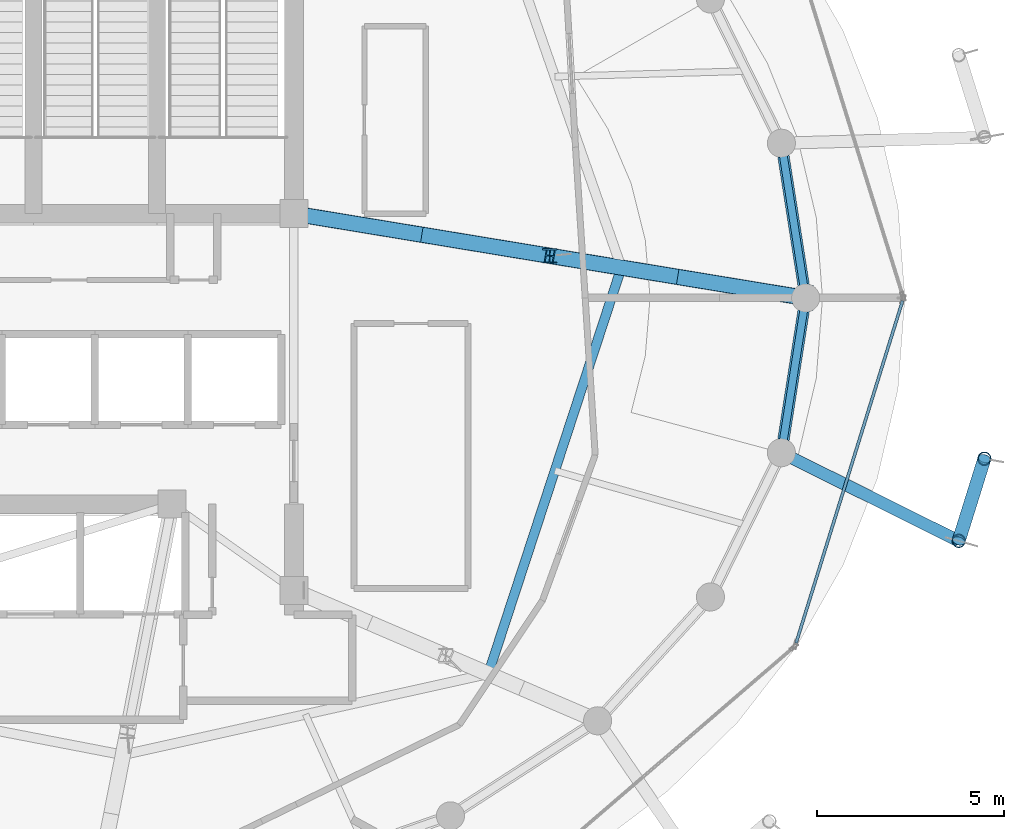
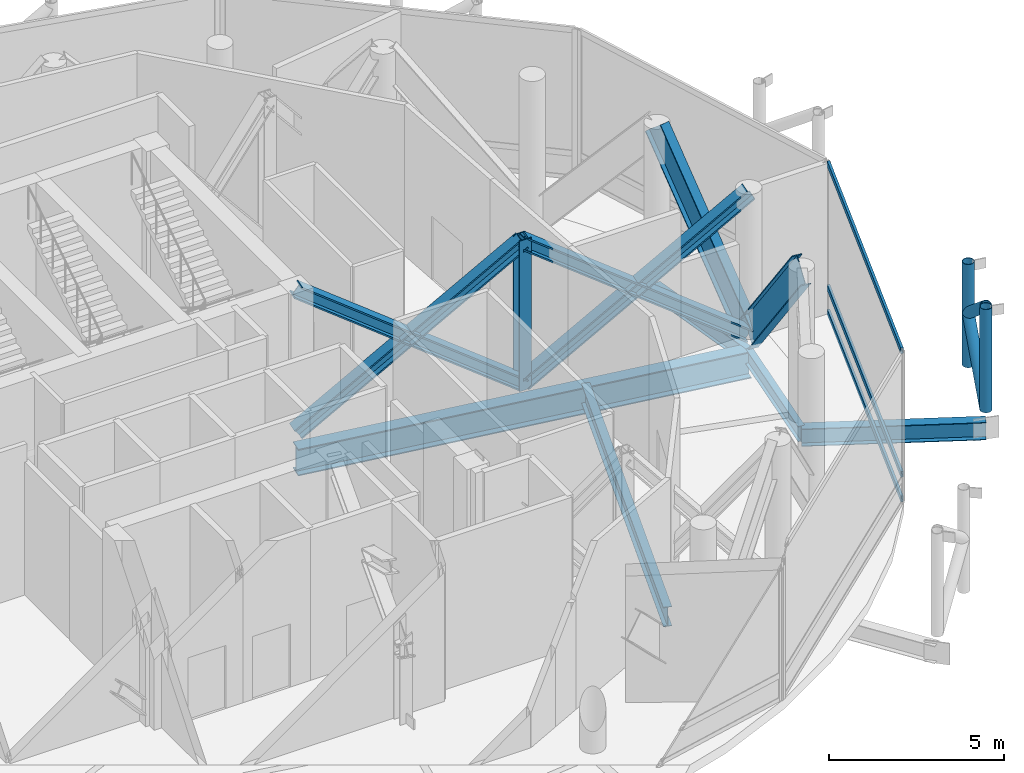
# One storey, part 10 of 26: 14 members, 5 beams, 1 element without a shape of its own.
"""IFC4 building model written with IfcOpenShell, lengths in metres."""

from ifc_helpers import new_model, si_unit, direction, frame, origin, origin_2d, place, context, subcontext, project, spatial, hollow_rectangle, hollow_circle, i_section, extrude, material, layer, layer_set, material_profile, profile_set, type_object, element, aggregate, save


model = new_model("IFC4")

# Units and contexts
model_context = context("Model", 3, precision=1e-05, world=origin(), true_north=direction((0.0, 1.0)))
body_context = subcontext(model_context, "Body", "Model", "MODEL_VIEW")
ifc_project = project(units=[si_unit("LENGTHUNIT", "METRE"), si_unit("AREAUNIT", "SQUARE_METRE"), si_unit("VOLUMEUNIT", "CUBIC_METRE"), si_unit("PLANEANGLEUNIT", "RADIAN"), si_unit("MASSUNIT", "GRAM", prefix="KILO")], contexts=[model_context])

# Site, building, storey
site_placement = place(None, origin())
site = spatial("IfcSite", under=ifc_project, at=site_placement, CompositionType="ELEMENT")
building_placement = place(site_placement, origin())
building = spatial("IfcBuilding", under=site, at=building_placement, Name="Nuhasar Tower", CompositionType="ELEMENT")
storey_placement = place(building_placement, frame((0.0, 0.0, 301.199951171875)))
storey = spatial("IfcBuildingStorey", under=building, at=storey_placement, Name="L75", CompositionType="ELEMENT", Elevation=301.199951171875)

# Members
ifc_material_1 = material(Name="Steel S460", Category="steel")
ifc_material_profile_1 = material_profile(ifc_material_1, i_section(OverallWidth=0.306884765625, OverallDepth=0.927001953125, WebThickness=0.019287109375, FlangeThickness=0.031982421875, at=origin_2d()), Name="W36X194")
ifc_profile_set_1 = profile_set([ifc_material_profile_1], Name="Steel S460")
member_type_1 = type_object("IfcMemberType", Name="BLT-DIAG-W36B", PredefinedType="CHORD", material=ifc_profile_set_1)
for number, where, z_axis, x_axis, name in (
    (1, (57.949951171875, 26.800048828125, 0.150146484375), (-0.099727894246, 0.637263505636, 0.764165931912), (-0.987975241776, -0.154612165232, 0.0), "L75 Belt Truss Diagonal 01"),
    (2, (57.949951171875, 26.800048828125, 0.150146484375), (-0.099727894246, -0.637263505636, 0.764165931912), (0.987975241776, -0.154612165232, 0.0), "L75 Belt Truss Diagonal 24"),
):
    element("IfcMember", number, at=place(storey_placement, frame(where, z_axis=z_axis, x_axis=x_axis)), inside=storey, type_object=member_type_1, Name=name, PredefinedType="CHORD", context=body_context, shape_type="SweptSolid", body=[
        extrude(i_section(OverallWidth=0.306884765625, OverallDepth=0.927001953125, WebThickness=0.019287109375, FlangeThickness=0.031982421875, at=origin_2d()), origin(), (0.0, 0.0, 1.0), 6.4775390625),
    ])

# Beams
ifc_material_2 = material(Name="Steel S355", Category="steel")
ifc_material_profile_2 = material_profile(ifc_material_2, i_section(OverallWidth=0.25390625, OverallDepth=0.68408203125, WebThickness=0.012451171875, FlangeThickness=0.018798828125, at=origin_2d()), Name="W27X94")
ifc_profile_set_2 = profile_set([ifc_material_profile_2], Name="Steel S355")
beam_type_1 = type_object("IfcBeamType", Name="BM-INRING-W27X94", PredefinedType="BEAM", material=ifc_profile_set_2)
beam_1_placement = place(storey_placement, frame((49.48388671875, 16.77392578125, -0.69189453125), z_axis=(0.311483801376, 0.950251462235, 0.0), x_axis=(-0.950251462235, 0.311483801376, 0.0)))
element("IfcBeam", 3, at=beam_1_placement, inside=storey, type_object=beam_type_1, Name="L75 Inner Header Beam 03", PredefinedType="BEAM", context=body_context, shape_type="SweptSolid", body=[
    extrude(i_section(OverallWidth=0.25390625, OverallDepth=0.68408203125, WebThickness=0.012451171875, FlangeThickness=0.018798828125, at=origin_2d()), origin(), (0.0, 0.0, 1.0), 11.403564453125),
])
ifc_material_profile_3 = material_profile(ifc_material_2, i_section(OverallWidth=0.419921875, OverallDepth=0.931884765625, WebThickness=0.021240234375, FlangeThickness=0.03662109375, at=origin_2d()), Name="W36X262")
ifc_profile_set_3 = profile_set([ifc_material_profile_3], Name="Steel S355")
beam_type_2 = type_object("IfcBeamType", Name="BM-POD-W36X262", PredefinedType="BEAM", material=ifc_profile_set_3)
beam_2_placement = place(storey_placement, frame((44.300048828125, 29.050048828125, -0.81591796875), z_axis=(0.986685215874, -0.162641583786, 0.0), x_axis=(0.162641583786, 0.986685215874, 0.0)))
element("IfcBeam", 4, at=beam_2_placement, inside=storey, type_object=beam_type_2, Name="L75 Radial Floor Girder 04", PredefinedType="BEAM", context=body_context, shape_type="SweptSolid", body=[
    extrude(i_section(OverallWidth=0.419921875, OverallDepth=0.931884765625, WebThickness=0.021240234375, FlangeThickness=0.03662109375, at=origin_2d()), origin(), (0.0, 0.0, 1.0), 13.833984375),
])
ifc_material_profile_4 = material_profile(ifc_material_2, i_section(OverallWidth=0.2099609375, OverallDepth=0.537109375, WebThickness=0.010986328125, FlangeThickness=0.017333984375, at=origin_2d()), Name="W21X68")
ifc_profile_set_4 = profile_set([ifc_material_profile_4], Name="Steel S355")
beam_type_3 = type_object("IfcBeamType", Name="BM-RING-W21X68", PredefinedType="SPANDREL", material=ifc_profile_set_4)
for number, where, z_axis, x_axis, name in (
    (5, (57.949951171875, 26.800048828125, -0.617919921875), (-0.154612165232, 0.987975241776, 0.0), (-0.987975241776, -0.154612165232, 0.0), "L75 Perimeter Ring Spandrel 01"),
    (6, (57.303955078125, 22.672119140625, -0.617919921875), (0.154612165232, 0.987975241776, 0.0), (-0.987975241776, 0.154612165232, 0.0), "L75 Perimeter Ring Spandrel 24"),
):
    element("IfcBeam", number, at=place(storey_placement, frame(where, z_axis=z_axis, x_axis=x_axis)), inside=storey, type_object=beam_type_3, Name=name, PredefinedType="SPANDREL", context=body_context, shape_type="SweptSolid", body=[
        extrude(i_section(OverallWidth=0.2099609375, OverallDepth=0.537109375, WebThickness=0.010986328125, FlangeThickness=0.017333984375, at=origin_2d()), origin(), (0.0, 0.0, 1.0), 4.17822265625),
    ])
ifc_material_profile_5 = material_profile(ifc_material_2, i_section(OverallWidth=0.323974609375, OverallDepth=0.611083984375, WebThickness=0.0126953125, FlangeThickness=0.01904296875, at=origin_2d()), Name="W24X104")
ifc_profile_set_5 = profile_set([ifc_material_profile_5], Name="Steel S355")
beam_type_4 = type_object("IfcBeamType", Name="BM-TIE-W24X104", PredefinedType="BEAM", material=ifc_profile_set_5)
beam_3_placement = place(storey_placement, frame((57.303955078125, 22.672119140625, -0.655029296875), z_axis=(0.895294451274, -0.445474853969, 0.0), x_axis=(0.445474853969, 0.895294451274, 0.0)))
element("IfcBeam", 7, at=beam_3_placement, inside=storey, type_object=beam_type_4, Name="L75 Exoskeleton Node Tie Beam 12", PredefinedType="BEAM", context=body_context, shape_type="SweptSolid", body=[
    extrude(i_section(OverallWidth=0.323974609375, OverallDepth=0.611083984375, WebThickness=0.0126953125, FlangeThickness=0.01904296875, at=origin_2d()), origin(), (0.0, 0.0, 1.0), 5.281982421875),
])

# Curtain wall, members
ifc_material_3 = material(Name="Aluminium 6063-T6", Category="aluminium")
ifc_layer = layer(ifc_material_3, 0.219970703125)
ifc_layer_set = layer_set([ifc_layer], Name="Aluminium 6063-T6")
curtain_wall_type = type_object("IfcCurtainWallType", Name="CW-CROWN", PredefinedType="NOTDEFINED", material=ifc_layer_set)
curtain_wall_placement = place(storey_placement, origin())
curtain_wall = element("IfcCurtainWall", 8, at=curtain_wall_placement, inside=storey, type_object=curtain_wall_type, Name="L75 Unitised Curtain Wall 12", PredefinedType="NOTDEFINED")
ifc_material_profile_6 = material_profile(ifc_material_3, hollow_rectangle(XDim=0.080078125, YDim=0.199951171875, WallThickness=0.00439453125, at=origin_2d()), Name="CWT-7")
ifc_profile_set_6 = profile_set([ifc_material_profile_6], Name="Aluminium 6063-T6")
member_type_2 = type_object("IfcMemberType", Name="CW-TRN-S7", PredefinedType="USERDEFINED", material=ifc_profile_set_6)
member_1_placement = place(storey_placement, frame((57.69580078125, 17.596435546875, 0.0400390625), z_axis=(0.297138999145, 0.954834234403, 0.0), x_axis=(-0.954834234403, 0.297138999145, 0.0)))
member_1 = element("IfcMember", 9, at=member_1_placement, type_object=member_type_2, Name="CW-CR transom 1.1", ObjectType="TRANSOM", PredefinedType="USERDEFINED", context=body_context, shape_type="SweptSolid", body=[
    extrude(hollow_rectangle(XDim=0.080078125, YDim=0.199951171875, WallThickness=0.00439453125, at=origin_2d()), origin(), (0.0, 0.0, 1.0), 9.558837890625),
])
member_2_placement = place(storey_placement, frame((57.69580078125, 17.596435546875, 0.900146484375), z_axis=(0.297138999145, 0.954834234403, 0.0), x_axis=(-0.954834234403, 0.297138999145, 0.0)))
member_2 = element("IfcMember", 10, at=member_2_placement, type_object=member_type_2, Name="CW-CR transom 1.2", ObjectType="TRANSOM", PredefinedType="USERDEFINED", context=body_context, shape_type="SweptSolid", body=[
    extrude(hollow_rectangle(XDim=0.080078125, YDim=0.199951171875, WallThickness=0.00439453125, at=origin_2d()), origin(), (0.0, 0.0, 1.0), 9.558837890625),
])
member_3_placement = place(storey_placement, frame((57.69580078125, 17.596435546875, 5.2099609375), z_axis=(0.297138999145, 0.954834234403, 0.0), x_axis=(-0.954834234403, 0.297138999145, 0.0)))
member_3 = element("IfcMember", 11, at=member_3_placement, type_object=member_type_2, Name="CW-CR transom 1.3", ObjectType="TRANSOM", PredefinedType="USERDEFINED", context=body_context, shape_type="SweptSolid", body=[
    extrude(hollow_rectangle(XDim=0.080078125, YDim=0.199951171875, WallThickness=0.00439453125, at=origin_2d()), origin(), (0.0, 0.0, 1.0), 9.558837890625),
])
aggregate(curtain_wall, [member_1, member_2, member_3])

# Members
ifc_material_profile_7 = material_profile(ifc_material_1, hollow_circle(Radius=0.177734375, WallThickness=0.015869140625, at=origin_2d()), Name="HSS355.6X15.9")
ifc_profile_set_7 = profile_set([ifc_material_profile_7], Name="Steel S460")
member_type_3 = type_object("IfcMemberType", Name="EXO-BRONZE-356", PredefinedType="BRACE", material=ifc_profile_set_7)
for number, where, z_axis, x_axis, name in (
    (12, (62.032958984375, 20.319091796875, 0.0), (0.0, 0.0, 1.0), (1.0, 0.0, 0.0), "L75 Exoskeleton Chord Column EC-12A"),
    (13, (62.718017578125, 22.513916015625, 0.0), (0.0, 0.0, 1.0), (1.0, 0.0, 0.0), "L75 Exoskeleton Chord Column EC-12B"),
):
    element("IfcMember", number, at=place(storey_placement, frame(where, z_axis=z_axis, x_axis=x_axis)), inside=storey, type_object=member_type_3, Name=name, PredefinedType="BRACE", context=body_context, shape_type="SweptSolid", body=[
        extrude(hollow_circle(Radius=0.177734375, WallThickness=0.015869140625, at=origin_2d()), origin(), (0.0, 0.0, 1.0), 3.60009765625),
    ])
for number, where, z_axis, x_axis, name in (
    (14, (62.032958984375, 20.319091796875, 0.0), (0.234604506813, 0.751637389966, 0.616442989568), (-0.954581948223, 0.297948492404, 0.0), "L75 Bronze Diagrid Brace W1-12"),
    (15, (62.718017578125, 22.513916015625, 1.800048828125), (-0.234604506813, -0.751637389966, 0.616442989568), (0.954581948223, -0.297948492404, 0.0), "L75 Bronze Diagrid Brace W2-12"),
):
    element("IfcMember", number, at=place(storey_placement, frame(where, z_axis=z_axis, x_axis=x_axis)), inside=storey, type_object=member_type_3, Name=name, PredefinedType="BRACE", context=body_context, shape_type="SweptSolid", body=[
        extrude(hollow_circle(Radius=0.177734375, WallThickness=0.015869140625, at=origin_2d()), origin(), (0.0, 0.0, 1.0), 2.920166015625),
    ])
ifc_material_profile_8 = material_profile(ifc_material_1, i_section(OverallWidth=0.39892578125, OverallDepth=0.385986328125, WebThickness=0.02099609375, FlangeThickness=0.033203125, at=origin_2d()), Name="W14X176")
ifc_profile_set_8 = profile_set([ifc_material_profile_8], Name="Steel S460")
member_type_4 = type_object("IfcMemberType", Name="OUT-CHRD-W14C", PredefinedType="CHORD", material=ifc_profile_set_8)
member_4_placement = place(storey_placement, frame((51.125, 27.925048828125, 0.0), z_axis=(0.0, 0.0, 1.0), x_axis=(1.0, 0.0, 0.0)))
element("IfcMember", 16, at=member_4_placement, inside=storey, type_object=member_type_4, Name="L75 Outrigger Truss Post 04", PredefinedType="CHORD", context=body_context, shape_type="SweptSolid", body=[
    extrude(i_section(OverallWidth=0.39892578125, OverallDepth=0.385986328125, WebThickness=0.02099609375, FlangeThickness=0.033203125, at=origin_2d()), origin(), (0.0, 0.0, 1.0), 5.25),
])
ifc_material_profile_9 = material_profile(ifc_material_1, i_section(OverallWidth=0.406005859375, OverallDepth=0.416015625, WebThickness=0.02978515625, FlangeThickness=0.048095703125, at=origin_2d()), Name="W14X257")
ifc_profile_set_9 = profile_set([ifc_material_profile_9], Name="Steel S460")
member_type_5 = type_object("IfcMemberType", Name="OUT-DIAG-W14B", PredefinedType="STRUT", material=ifc_profile_set_9)
for number, where, z_axis, x_axis, name in (
    (17, (44.300048828125, 29.050048828125, 0.150146484375), (0.802393651552, -0.132263636071, 0.581954258101), (0.162641583786, 0.986685215874, 0.0), "L75 Outrigger Truss Diagonal IN1-04"),
    (18, (51.125, 27.925048828125, 0.150146484375), (-0.802393651552, 0.132263636071, 0.581954258101), (-0.162641583786, -0.986685215874, 0.0), "L75 Outrigger Truss Diagonal IN2-04"),
    (19, (51.125, 27.925048828125, 0.150146484375), (0.802393651552, -0.132263636071, 0.581954258101), (0.162641583786, 0.986685215874, 0.0), "L75 Outrigger Truss Diagonal OUT1-04"),
    (20, (57.949951171875, 26.800048828125, 0.150146484375), (-0.802393651552, 0.132263636071, 0.581954258101), (-0.162641583786, -0.986685215874, 0.0), "L75 Outrigger Truss Diagonal OUT2-04"),
):
    element("IfcMember", number, at=place(storey_placement, frame(where, z_axis=z_axis, x_axis=x_axis)), inside=storey, type_object=member_type_5, Name=name, PredefinedType="STRUT", context=body_context, shape_type="SweptSolid", body=[
        extrude(i_section(OverallWidth=0.406005859375, OverallDepth=0.416015625, WebThickness=0.02978515625, FlangeThickness=0.048095703125, at=origin_2d()), origin(), (0.0, 0.0, 1.0), 8.505859375),
    ])

save(model, "model.ifc")
